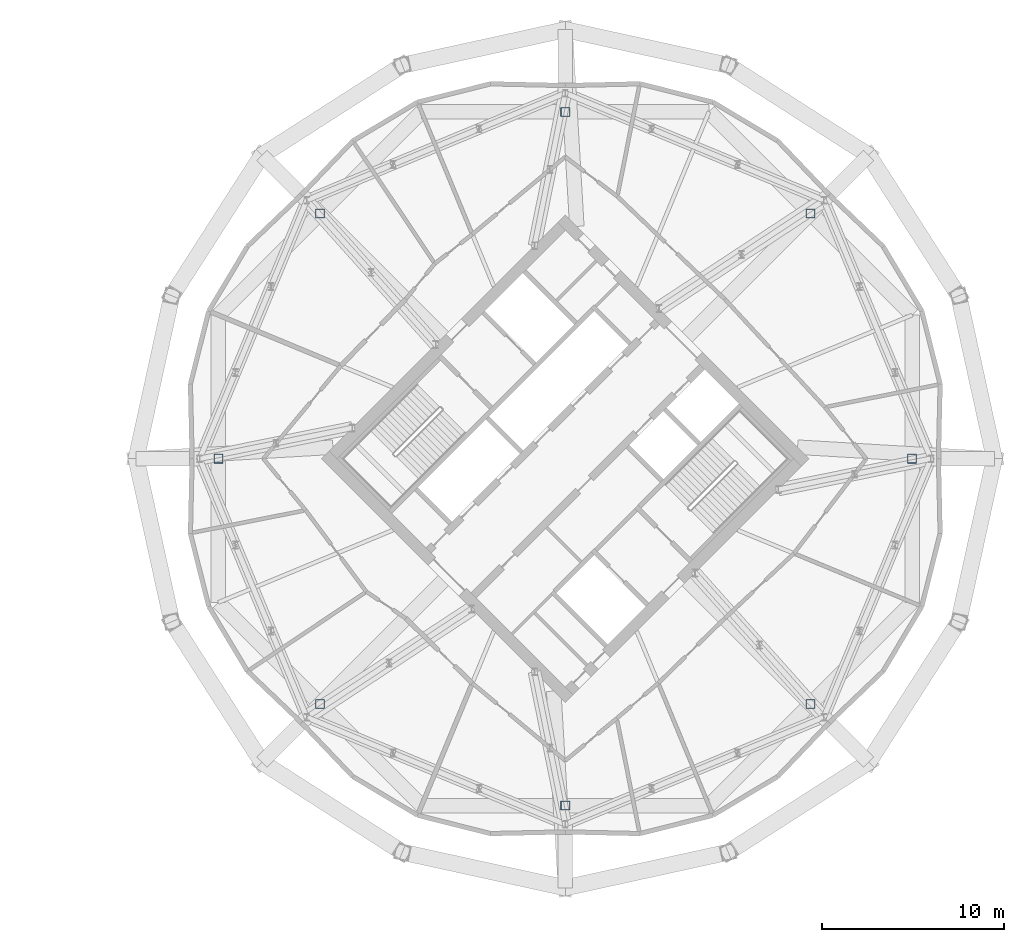
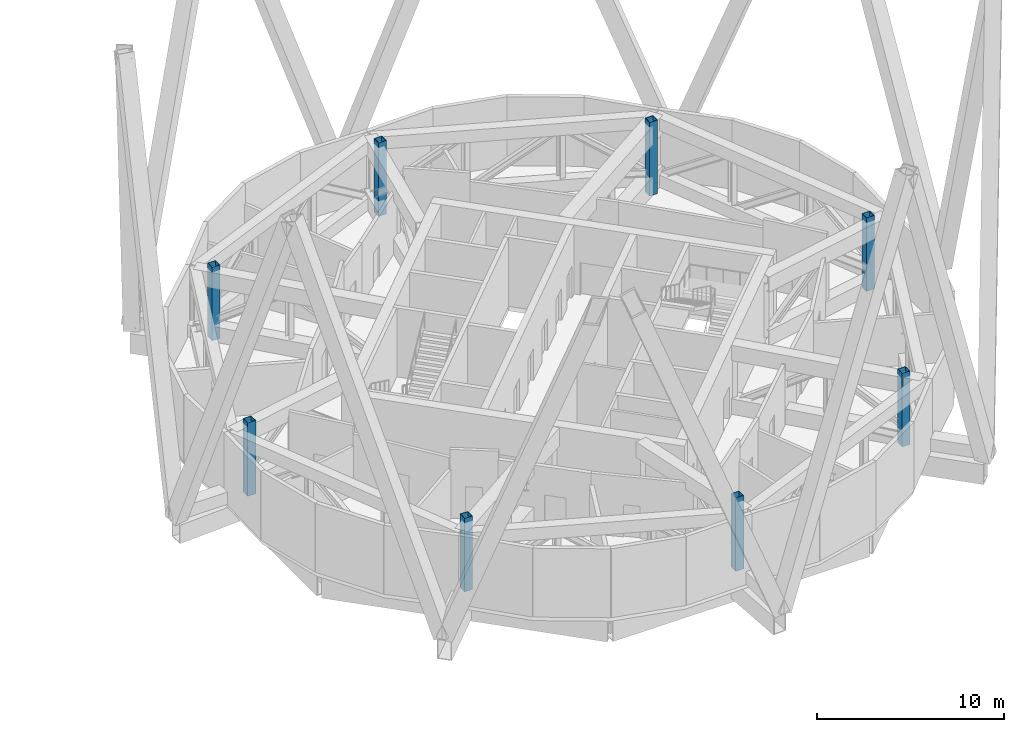
# One storey, part 2 of 19: 8 columns.
"""IFC4 building model written with IfcOpenShell, lengths in metres."""

from ifc_helpers import new_model, si_unit, direction, frame, origin, origin_2d, place, context, subcontext, project, spatial, hollow_rectangle, extrude, material, material_profile, profile_set, type_object, element, save


model = new_model("IFC4")

# Units and contexts
model_context = context("Model", 3, precision=1e-05, world=origin(), true_north=direction((0.0, 1.0)))
body_context = subcontext(model_context, "Body", "Model", "MODEL_VIEW")
ifc_project = project(units=[si_unit("LENGTHUNIT", "METRE"), si_unit("AREAUNIT", "SQUARE_METRE"), si_unit("VOLUMEUNIT", "CUBIC_METRE"), si_unit("PLANEANGLEUNIT", "RADIAN"), si_unit("MASSUNIT", "GRAM", prefix="KILO")], contexts=[model_context])

# Site, building, storey
site_placement = place(None, origin())
site = spatial("IfcSite", under=ifc_project, at=site_placement, CompositionType="ELEMENT")
building_placement = place(site_placement, origin())
building = spatial("IfcBuilding", under=site, at=building_placement, Name="Ogive Gate Towers", CompositionType="ELEMENT")
storey_placement = place(building_placement, frame((0.0, 0.0, 216.300048828125)))
storey = spatial("IfcBuildingStorey", under=building, at=storey_placement, Name="L52", CompositionType="ELEMENT", Elevation=216.300048828125)

# Columns
ifc_material = material(Name="Steel SM460", Category="steel")
ifc_material_profile = material_profile(ifc_material, hollow_rectangle(XDim=0.5, YDim=0.5, WallThickness=0.030029296875, at=origin_2d()), Name="BX 500x500x30")
ifc_profile_set = profile_set([ifc_material_profile], Name="Steel SM460")
column_type = type_object("IfcColumnType", Name="Perimeter post BX 500x500x30", PredefinedType="COLUMN", material=ifc_profile_set)
for number, where, z_axis, x_axis, name in (
    (1, (55.110107421875, 0.0, 0.0), (0.0, 0.0, 1.0), (1.0, 0.0, 0.0), "T2/L52/SCL001"),
    (2, (49.5126953125, 13.5126953125, 0.0), (0.0, 0.0, 1.0), (1.0, 0.0, 0.0), "T2/L52/SCL002"),
    (3, (36.0, 19.110107421875, 0.0), (0.0, 0.0, 1.0), (1.0, 0.0, 0.0), "T2/L52/SCL003"),
    (4, (22.4873046875, 13.5126953125, 0.0), (0.0, 0.0, 1.0), (1.0, 0.0, 0.0), "T2/L52/SCL004"),
    (5, (16.889892578125, 0.0, 0.0), (0.0, 0.0, 1.0), (1.0, 0.0, 0.0), "T2/L52/SCL005"),
    (6, (22.4873046875, -13.5126953125, 0.0), (0.0, 0.0, 1.0), (1.0, 0.0, 0.0), "T2/L52/SCL006"),
    (7, (36.0, -19.110107421875, 0.0), (0.0, 0.0, 1.0), (1.0, 0.0, 0.0), "T2/L52/SCL007"),
    (8, (49.5126953125, -13.5126953125, 0.0), (0.0, 0.0, 1.0), (1.0, 0.0, 0.0), "T2/L52/SCL008"),
):
    element("IfcColumn", number, at=place(storey_placement, frame(where, z_axis=z_axis, x_axis=x_axis)), inside=storey, type_object=column_type, Name=name, PredefinedType="COLUMN", context=body_context, shape_type="SweptSolid", body=[
        extrude(hollow_rectangle(XDim=0.5, YDim=0.5, WallThickness=0.030029296875, at=origin_2d()), origin(), (0.0, 0.0, 1.0), 4.800048828125),
    ])

save(model, "model.ifc")
